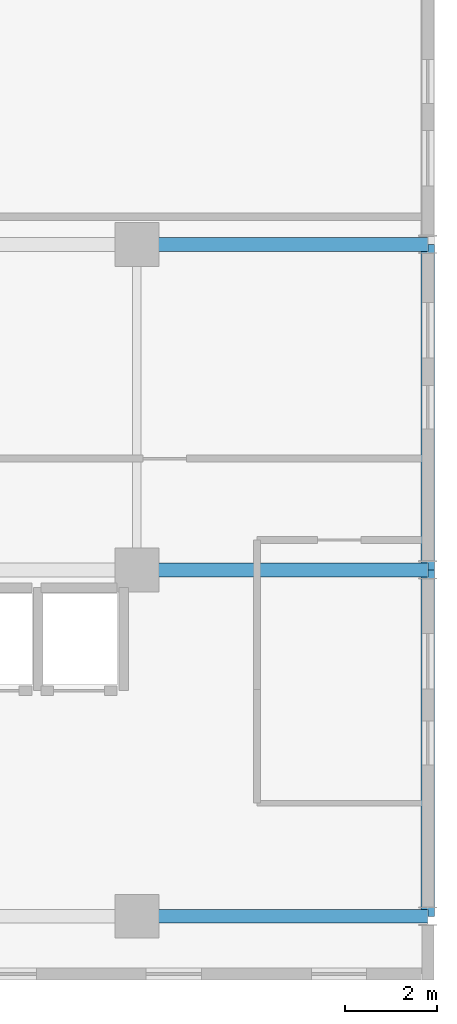
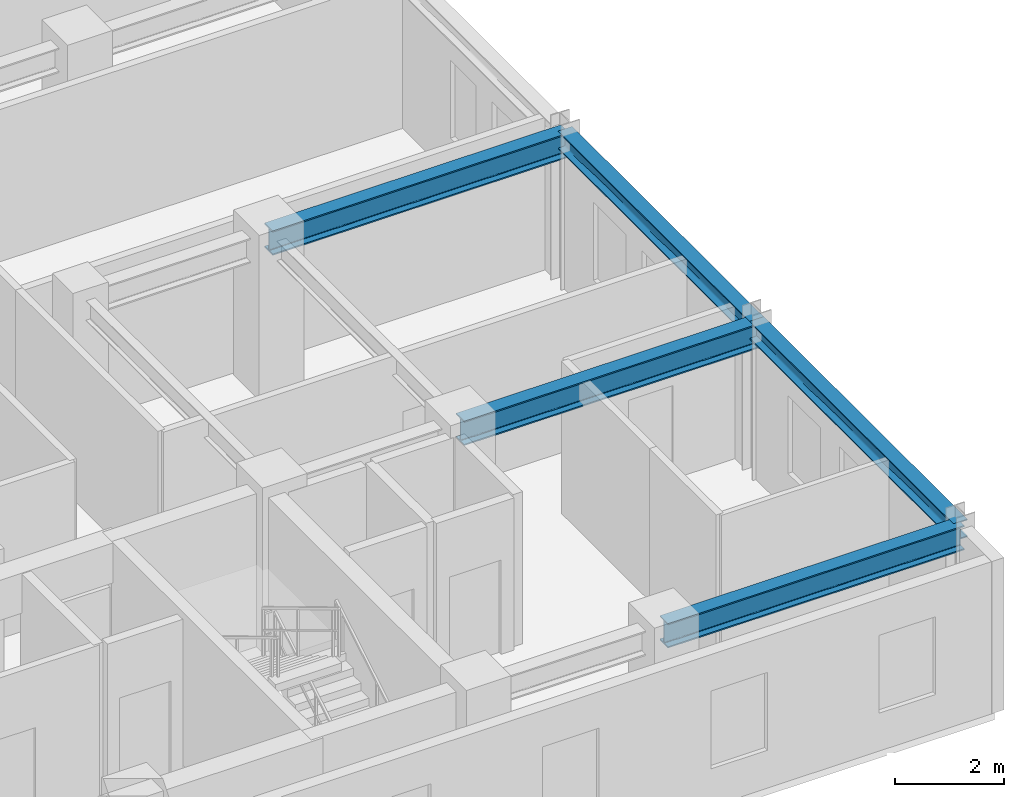
# One storey, part 8 of 24: 5 beams.
"""IFC4 building model written with IfcOpenShell, lengths in metres."""

from ifc_helpers import new_model, si_unit, direction, frame, origin, origin_2d, place, context, subcontext, project, spatial, i_section, extrude, source, transform, mapped, material, material_profile, profile_set, type_object, element, save


model = new_model("IFC4")

# Units and contexts
model_context = context("Model", 3, precision=1e-05, world=origin(), true_north=direction((0.0, 1.0)))
body_context = subcontext(model_context, "Body", "Model", "MODEL_VIEW")
ifc_project = project(units=[si_unit("LENGTHUNIT", "METRE"), si_unit("AREAUNIT", "SQUARE_METRE"), si_unit("VOLUMEUNIT", "CUBIC_METRE"), si_unit("PLANEANGLEUNIT", "RADIAN"), si_unit("MASSUNIT", "GRAM", prefix="KILO")], contexts=[model_context])

# Site, building, storey
site_placement = place(None, origin())
site = spatial("IfcSite", under=ifc_project, at=site_placement, CompositionType="ELEMENT")
building_placement = place(site_placement, origin())
building = spatial("IfcBuilding", under=site, at=building_placement, Name="Kaliganga Portal Commons", CompositionType="ELEMENT")
storey_placement = place(building_placement, frame((0.0, 0.0, 235.10009765625)))
storey = spatial("IfcBuildingStorey", under=building, at=storey_placement, Name="L60", CompositionType="ELEMENT", Elevation=235.10009765625)

# Beams
ifc_material = material(Name="Structural steel S355J2", Category="steel")
ifc_material_profile_1 = material_profile(ifc_material, i_section(OverallWidth=0.300048828125, OverallDepth=0.550048828125, WebThickness=0.014892578125, FlangeThickness=0.029052734375, FilletRadius=0.027099609375, at=origin_2d()), Name="HE 550 B")
ifc_profile_set_1 = profile_set([ifc_material_profile_1], Name="Structural steel S355J2 wide-flange")
beam_type_1 = type_object("IfcBeamType", Name="BM-GIRD-550", PredefinedType="USERDEFINED", material=ifc_profile_set_1)
shared_shape_1 = source(origin(), body_context, "Body", "SweptSolid", [
    extrude(i_section(OverallWidth=0.300048828125, OverallDepth=0.550048828125, WebThickness=0.014892578125, FlangeThickness=0.029052734375, FilletRadius=0.027099609375, at=origin_2d()), origin(), (0.0, 0.0, 1.0), 6.300048828125),
])
for number, where, z_axis, x_axis, name in (
    (1, (54.39990234375, 7.050048828125, 3.164794921875), (1.0, 0.0, 0.0), (0.0, 1.0, 0.0), "BM G L60 BKE70 2"),
    (2, (54.39990234375, 14.550048828125, 3.164794921875), (1.0, 0.0, 0.0), (0.0, 1.0, 0.0), "BM G L60 BKE146 2"),
    (3, (54.39990234375, 21.60009765625, 3.164794921875), (1.0, 0.0, 0.0), (0.0, 1.0, 0.0), "BM G L60 BKE216 2"),
):
    element("IfcBeam", number, at=place(storey_placement, frame(where, z_axis=z_axis, x_axis=x_axis)), inside=storey, type_object=beam_type_1, Name=name, ObjectType="GIRDER", PredefinedType="USERDEFINED", context=body_context, shape_type="MappedRepresentation", body=[
        mapped(shared_shape_1, transform((0.0, 0.0, 0.0), x_axis=(1.0, 0.0, 0.0), y_axis=(0.0, 1.0, 0.0), z_axis=(0.0, 0.0, 1.0), scale=1.0)),
    ])
ifc_material_profile_2 = material_profile(ifc_material, i_section(OverallWidth=0.300048828125, OverallDepth=0.39990234375, WebThickness=0.013427734375, FlangeThickness=0.02392578125, FilletRadius=0.027099609375, at=origin_2d()), Name="HE 400 B")
ifc_profile_set_2 = profile_set([ifc_material_profile_2], Name="Structural steel S355J2 wide-flange")
beam_type_2 = type_object("IfcBeamType", Name="BM-SPAND-400", PredefinedType="SPANDREL", material=ifc_profile_set_2)
shared_shape_2 = source(origin(), body_context, "Body", "SweptSolid", [
    extrude(i_section(OverallWidth=0.300048828125, OverallDepth=0.39990234375, WebThickness=0.013427734375, FlangeThickness=0.02392578125, FilletRadius=0.027099609375, at=origin_2d()), origin(), (0.0, 0.0, 1.0), 7.5),
])
beam_1_placement = place(storey_placement, frame((60.699951171875, 7.050048828125, 3.239990234375), z_axis=(0.0, 1.0, 0.0), x_axis=(-1.0, 0.0, 0.0)))
element("IfcBeam", 4, at=beam_1_placement, inside=storey, type_object=beam_type_2, Name="BM SP L60 BE 1", PredefinedType="SPANDREL", context=body_context, shape_type="MappedRepresentation", body=[
    mapped(shared_shape_2, transform((0.0, 0.0, 0.0), x_axis=(1.0, 0.0, 0.0), y_axis=(0.0, 1.0, 0.0), z_axis=(0.0, 0.0, 1.0), scale=1.0)),
])
shared_shape_3 = source(origin(), body_context, "Body", "SweptSolid", [
    extrude(i_section(OverallWidth=0.300048828125, OverallDepth=0.39990234375, WebThickness=0.013427734375, FlangeThickness=0.02392578125, FilletRadius=0.027099609375, at=origin_2d()), origin(), (0.0, 0.0, 1.0), 7.050048828125),
])
beam_2_placement = place(storey_placement, frame((60.699951171875, 14.550048828125, 3.239990234375), z_axis=(0.0, 1.0, 0.0), x_axis=(-1.0, 0.0, 0.0)))
element("IfcBeam", 5, at=beam_2_placement, inside=storey, type_object=beam_type_2, Name="BM SP L60 BE 2", PredefinedType="SPANDREL", context=body_context, shape_type="MappedRepresentation", body=[
    mapped(shared_shape_3, transform((0.0, 0.0, 0.0), x_axis=(1.0, 0.0, 0.0), y_axis=(0.0, 1.0, 0.0), z_axis=(0.0, 0.0, 1.0), scale=1.0)),
])

save(model, "model.ifc")
